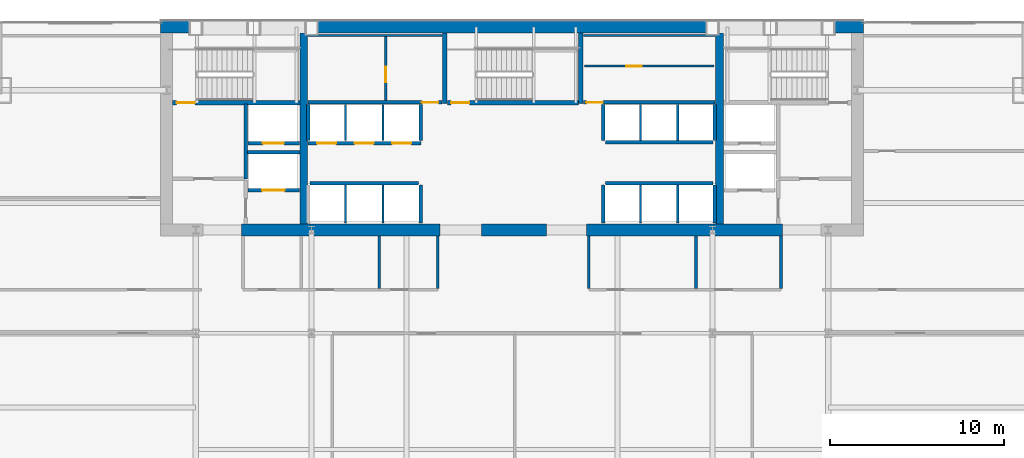
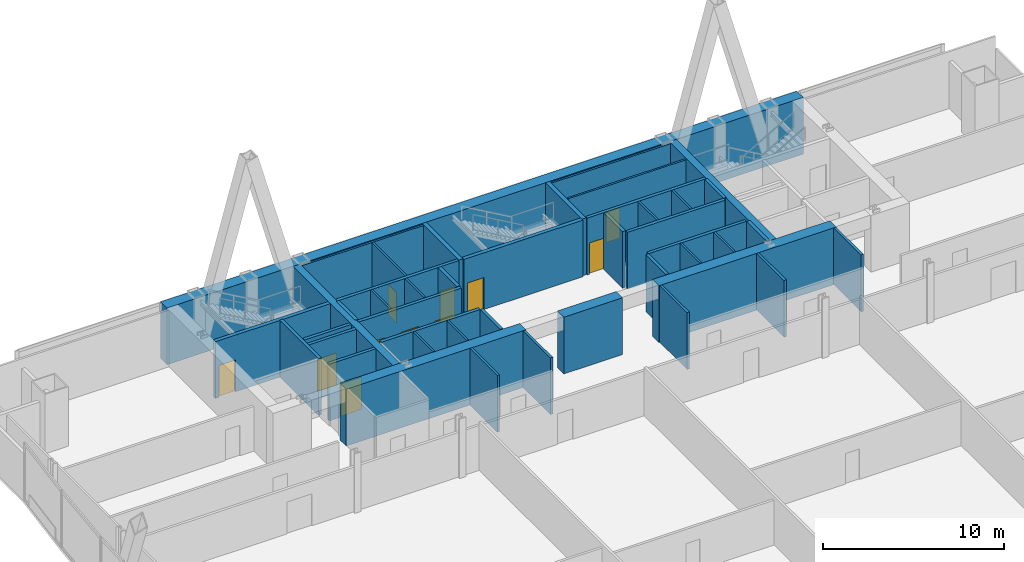
# One storey, part 29 of 32: 44 walls, 11 doors, 11 openings.
"""IFC4 building model written with IfcOpenShell, lengths in metres."""

from ifc_helpers import new_model, si_unit, direction, frame, frame_2d, origin, place, context, subcontext, project, spatial, rectangle, extrude, material, layer, layer_set, type_object, element, fill, save


model = new_model("IFC4")

# Units and contexts
model_context = context("Model", 3, precision=1e-05, world=origin(), true_north=direction((0.0, 1.0)))
body_context = subcontext(model_context, "Body", "Model", "MODEL_VIEW")
ifc_project = project(units=[si_unit("LENGTHUNIT", "METRE"), si_unit("AREAUNIT", "SQUARE_METRE"), si_unit("VOLUMEUNIT", "CUBIC_METRE"), si_unit("PLANEANGLEUNIT", "RADIAN"), si_unit("MASSUNIT", "GRAM", prefix="KILO")], contexts=[model_context])

# Site, building, storey
site_placement = place(None, origin())
site = spatial("IfcSite", under=ifc_project, at=site_placement, CompositionType="ELEMENT")
building_placement = place(site_placement, origin())
building = spatial("IfcBuilding", under=site, at=building_placement, Name="Khoronbel Lancet Exchange", CompositionType="ELEMENT")
storey_placement = place(building_placement, frame((0.0, 0.0, 94.60009765625)))
storey = spatial("IfcBuildingStorey", under=building, at=storey_placement, Name="L22", CompositionType="ELEMENT", Elevation=94.60009765625)

# Walls
ifc_material_1 = material(Name="Concrete C80/95", Category="concrete")
ifc_layer_1 = layer(ifc_material_1, 0.699951171875, Name="Concrete C80/95")
ifc_layer_set_1 = layer_set([ifc_layer_1], Name="Concrete C80/95")
wall_type_1 = type_object("IfcWallType", Name="WL-CW2", PredefinedType="SHEAR", material=ifc_layer_set_1)
wall_1_placement = place(storey_placement, frame((16.199951171875, 53.35009765625, 0.0), z_axis=(0.0, 0.0, 1.0), x_axis=(1.0, 0.0, 0.0)))
element("IfcWall", 1, at=wall_1_placement, inside=storey, type_object=wall_type_1, Name="Level L22 rear core north shear wall", PredefinedType="SHEAR", context=body_context, shape_type="SweptSolid", body=[
    extrude(rectangle(XDim=40.5, YDim=0.699951171875, at=frame_2d((20.25, 0.0))), origin(), (0.0, 0.0, 1.0), 3.81982421875),
])
wall_2_placement = place(storey_placement, frame((32.300048828125, 41.64990234375, 0.0), z_axis=(0.0, 0.0, 1.0), x_axis=(-1.0, 0.0, 0.0)))
element("IfcWall", 2, at=wall_2_placement, inside=storey, type_object=wall_type_1, Name="Level L22 rear core south shear wall pier P2", PredefinedType="SHEAR", context=body_context, shape_type="SweptSolid", body=[
    extrude(rectangle(XDim=11.449951171875, YDim=0.699951171875, at=frame_2d((5.72509765625, 0.0))), origin(), (0.0, 0.0, 1.0), 3.81982421875),
])
wall_3_placement = place(storey_placement, frame((38.449951171875, 41.64990234375, 0.0), z_axis=(0.0, 0.0, 1.0), x_axis=(-1.0, 0.0, 0.0)))
element("IfcWall", 3, at=wall_3_placement, inside=storey, type_object=wall_type_1, Name="Level L22 rear core south shear wall pier P3", PredefinedType="SHEAR", context=body_context, shape_type="SweptSolid", body=[
    extrude(rectangle(XDim=3.75, YDim=0.699951171875, at=frame_2d((1.875, 0.0))), origin(), (0.0, 0.0, 1.0), 3.81982421875),
])
wall_4_placement = place(storey_placement, frame((52.050048828125, 41.64990234375, 0.0), z_axis=(0.0, 0.0, 1.0), x_axis=(-1.0, 0.0, 0.0)))
element("IfcWall", 4, at=wall_4_placement, inside=storey, type_object=wall_type_1, Name="Level L22 rear core south shear wall pier P4", PredefinedType="SHEAR", context=body_context, shape_type="SweptSolid", body=[
    extrude(rectangle(XDim=11.300048828125, YDim=0.699951171875, at=frame_2d((5.64990234375, 0.0))), origin(), (0.0, 0.0, 1.0), 3.81982421875),
])
ifc_material_2 = material(Name="Acoustic Metal-Stud & Mineral-Wool Gypsum Partition 120 mm", Category="gypsum")
ifc_layer_2 = layer(ifc_material_2, 0.1201171875, Name="Acoustic Metal-Stud & Mineral-Wool Gypsum Partition 120 mm")
ifc_layer_set_2 = layer_set([ifc_layer_2], Name="Acoustic Metal-Stud & Mineral-Wool Gypsum Partition 120 mm")
wall_type_2 = type_object("IfcWallType", Name="WL-PRT120", PredefinedType="PARTITIONING", material=ifc_layer_set_2)
for number, where, z_axis, x_axis, name in (
    (5, (28.800048828125, 38.280029296875, 0.0), (0.0, 0.0, 1.0), (0.0, 1.0, 0.0), "Level L22 interior partition PW-WC-2"),
    (6, (32.179931640625, 38.280029296875, 0.0), (0.0, 0.0, 1.0), (0.0, 1.0, 0.0), "Level L22 interior partition PW-WC-3"),
    (7, (40.8798828125, 38.280029296875, 0.0), (0.0, 0.0, 1.0), (0.0, 1.0, 0.0), "Level L22 interior partition PW-NP-0"),
    (8, (47.050048828125, 38.280029296875, 0.0), (0.0, 0.0, 1.0), (0.0, 1.0, 0.0), "Level L22 interior partition PW-NP-M"),
    (9, (51.949951171875, 38.280029296875, 0.0), (0.0, 0.0, 1.0), (0.0, 1.0, 0.0), "Level L22 interior partition PW-NP-1"),
):
    element("IfcWall", number, at=place(storey_placement, frame(where, z_axis=z_axis, x_axis=x_axis)), inside=storey, type_object=wall_type_2, Name=name, PredefinedType="PARTITIONING", context=body_context, shape_type="SweptSolid", body=[
        extrude(rectangle(XDim=3.02001953125, YDim=0.14990234375, at=frame_2d((1.510009765625, 0.0))), origin(), (0.0, 0.0, 1.0), 3.81982421875),
    ])
ifc_material_3 = material(Name="Fire-Rated Metal-Stud & Mineral-Wool Gypsum Partition 120 mm", Category="gypsum")
ifc_layer_3 = layer(ifc_material_3, 0.1201171875, Name="Fire-Rated Metal-Stud & Mineral-Wool Gypsum Partition 120 mm")
ifc_layer_set_3 = layer_set([ifc_layer_3], Name="Fire-Rated Metal-Stud & Mineral-Wool Gypsum Partition 120 mm")
wall_type_3 = type_object("IfcWallType", Name="WL-PRT120F", PredefinedType="PARTITIONING", material=ifc_layer_set_3)
for number, where, z_axis, x_axis, name in (
    (10, (26.860107421875, 46.800048828125, 0.0), (0.0, 0.0, 1.0), (0.0, 1.0, 0.0), "Level L22 interior partition CW-PL-D1"),
    (11, (29.02001953125, 46.800048828125, 0.0), (0.0, 0.0, 1.0), (0.0, 1.0, 0.0), "Level L22 interior partition CW-PL-D2"),
):
    element("IfcWall", number, at=place(storey_placement, frame(where, z_axis=z_axis, x_axis=x_axis)), inside=storey, type_object=wall_type_3, Name=name, PredefinedType="PARTITIONING", context=body_context, shape_type="SweptSolid", body=[
        extrude(rectangle(XDim=2.094970703125, YDim=0.1201171875, at=frame_2d((1.04736328125, 0.0))), origin(), (0.0, 0.0, 1.0), 3.81982421875),
    ])
for number, where, z_axis, x_axis, name in (
    (12, (26.860107421875, 42.050048828125, 0.0), (0.0, 0.0, 1.0), (0.0, 1.0, 0.0), "Level L22 interior partition CW-PM-D1"),
    (13, (29.02001953125, 42.050048828125, 0.0), (0.0, 0.0, 1.0), (0.0, 1.0, 0.0), "Level L22 interior partition CW-PM-D2"),
):
    element("IfcWall", number, at=place(storey_placement, frame(where, z_axis=z_axis, x_axis=x_axis)), inside=storey, type_object=wall_type_3, Name=name, PredefinedType="PARTITIONING", context=body_context, shape_type="SweptSolid", body=[
        extrude(rectangle(XDim=2.195068359375, YDim=0.1201171875, at=frame_2d((1.09765625, 0.0))), origin(), (0.0, 0.0, 1.0), 3.81982421875),
    ])
for number, where, z_axis, x_axis, name in (
    (14, (43.860107421875, 46.804931640625, 0.0), (0.0, 0.0, 1.0), (0.0, 1.0, 0.0), "Level L22 interior partition CW-PH-D1"),
    (15, (46.0, 46.804931640625, 0.0), (0.0, 0.0, 1.0), (0.0, 1.0, 0.0), "Level L22 interior partition CW-PH-D2"),
):
    element("IfcWall", number, at=place(storey_placement, frame(where, z_axis=z_axis, x_axis=x_axis)), inside=storey, type_object=wall_type_3, Name=name, PredefinedType="PARTITIONING", context=body_context, shape_type="SweptSolid", body=[
        extrude(rectangle(XDim=2.090087890625, YDim=0.1201171875, at=frame_2d((1.044921875, 0.0))), origin(), (0.0, 0.0, 1.0), 3.81982421875),
    ])
for number, where, z_axis, x_axis, name in (
    (16, (43.860107421875, 42.050048828125, 0.0), (0.0, 0.0, 1.0), (0.0, 1.0, 0.0), "Level L22 interior partition CW-PX-D1"),
    (17, (46.0, 42.050048828125, 0.0), (0.0, 0.0, 1.0), (0.0, 1.0, 0.0), "Level L22 interior partition CW-PX-D2"),
):
    element("IfcWall", number, at=place(storey_placement, frame(where, z_axis=z_axis, x_axis=x_axis)), inside=storey, type_object=wall_type_3, Name=name, PredefinedType="PARTITIONING", context=body_context, shape_type="SweptSolid", body=[
        extrude(rectangle(XDim=2.195068359375, YDim=0.1201171875, at=frame_2d((1.09765625, 0.0))), origin(), (0.0, 0.0, 1.0), 3.81982421875),
    ])
wall_5_placement = place(storey_placement, frame((24.699951171875, 52.860107421875, 0.0), z_axis=(0.0, 0.0, 1.0), x_axis=(1.0, 0.0, 0.0)))
element("IfcWall", 18, at=wall_5_placement, inside=storey, type_object=wall_type_3, Name="Level L22 interior partition CW-SUP-NW-N", PredefinedType="PARTITIONING", context=body_context, shape_type="SweptSolid", body=[
    extrude(rectangle(XDim=7.719970703125, YDim=0.1201171875, at=frame_2d((3.85986328125, 0.0))), origin(), (0.0, 0.0, 1.0), 3.81982421875),
])

# Wall, opening, door
wall_6_placement = place(storey_placement, frame((29.177490234375, 49.10498046875, 0.0), z_axis=(0.0, 0.0, 1.0), x_axis=(0.0, 1.0, 0.0)))
wall_6 = element("IfcWall", 19, at=wall_6_placement, inside=storey, type_object=wall_type_3, Name="Level L22 interior partition CW-SUP-NW-M", PredefinedType="PARTITIONING", context=body_context, shape_type="SweptSolid", body=[
    extrude(rectangle(XDim=3.68994140625, YDim=0.1201171875, at=frame_2d((1.844970703125, 0.0))), origin(), (0.0, 0.0, 1.0), 3.81982421875),
])
opening_1_placement = place(wall_6_placement, frame((1.050048828125, 0.0, 0.0)))
opening_1 = element("IfcOpeningElement", 20, at=opening_1_placement, cuts=wall_6, Name="Opening FD4", PredefinedType="OPENING", context=body_context, shape_type="SweptSolid", body=[
    extrude(rectangle(XDim=0.89990234375, YDim=2.050048828125, at=frame_2d((0.449951171875, 1.02490234375))), frame((0.0, 0.070068359375, 0.0), z_axis=(0.0, -1.0, 0.0), x_axis=(1.0, 0.0, 0.0)), (0.0, 0.0, 1.0), 0.14013671875),
])
ifc_material_4 = material(Name="Fire-Rated Steel Core Support Door Assembly", Category="steel")
door_type_1 = type_object("IfcDoorType", Name="DR-FD4", OperationType="NOTDEFINED", PredefinedType="DOOR", material=ifc_material_4)
door_1_placement = place(opening_1_placement, origin())
door_1 = element("IfcDoor", 21, at=door_1_placement, inside=storey, type_object=door_type_1, Name="Core NW inner support door L22-1", OperationType="SINGLE_SWING_RIGHT", OverallHeight=2.050048828125, OverallWidth=0.89990234375, PredefinedType="DOOR", context=body_context, shape_type="SweptSolid", body=[
    extrude(rectangle(XDim=0.89990234375, YDim=2.050048828125, at=frame_2d((0.449951171875, 1.02490234375))), frame((0.0, 0.02490234375, 0.0), z_axis=(0.0, -1.0, 0.0), x_axis=(1.0, 0.0, 0.0)), (0.0, 0.0, 1.0), 0.050048828125),
])
fill(opening_1, door_1)

# Wall
wall_7_placement = place(storey_placement, frame((40.580078125, 52.860107421875, 0.0), z_axis=(0.0, 0.0, 1.0), x_axis=(1.0, 0.0, 0.0)))
element("IfcWall", 22, at=wall_7_placement, inside=storey, type_object=wall_type_3, Name="Level L22 interior partition CW-SUP-NE-N", PredefinedType="PARTITIONING", context=body_context, shape_type="SweptSolid", body=[
    extrude(rectangle(XDim=7.559814453125, YDim=0.1201171875, at=frame_2d((3.77978515625, 0.0))), origin(), (0.0, 0.0, 1.0), 3.81982421875),
])

# Wall, opening, door
wall_8_placement = place(storey_placement, frame((40.6298828125, 51.090087890625, 0.0), z_axis=(0.0, 0.0, 1.0), x_axis=(1.0, 0.0, 0.0)))
wall_8 = element("IfcWall", 23, at=wall_8_placement, inside=storey, type_object=wall_type_3, Name="Level L22 interior partition CW-SUP-NE-H", PredefinedType="PARTITIONING", context=body_context, shape_type="SweptSolid", body=[
    extrude(rectangle(XDim=7.460205078125, YDim=0.1201171875, at=frame_2d((3.72998046875, 0.0))), origin(), (0.0, 0.0, 1.0), 3.81982421875),
])
opening_2_placement = place(wall_8_placement, frame((2.39990234375, 0.0, 0.0)))
opening_2 = element("IfcOpeningElement", 24, at=opening_2_placement, cuts=wall_8, Name="Opening FD4", PredefinedType="OPENING", context=body_context, shape_type="SweptSolid", body=[
    extrude(rectangle(XDim=0.89990234375, YDim=2.050048828125, at=frame_2d((0.449951171875, 1.02490234375))), frame((0.0, 0.070068359375, 0.0), z_axis=(0.0, -1.0, 0.0), x_axis=(1.0, 0.0, 0.0)), (0.0, 0.0, 1.0), 0.14013671875),
])
door_2_placement = place(opening_2_placement, origin())
door_2 = element("IfcDoor", 25, at=door_2_placement, inside=storey, type_object=door_type_1, Name="Core NE north store door L22-1", OperationType="SINGLE_SWING_RIGHT", OverallHeight=2.050048828125, OverallWidth=0.89990234375, PredefinedType="DOOR", context=body_context, shape_type="SweptSolid", body=[
    extrude(rectangle(XDim=0.89990234375, YDim=2.050048828125, at=frame_2d((0.449951171875, 1.02490234375))), frame((0.0, 0.02490234375, 0.0), z_axis=(0.0, -1.0, 0.0), x_axis=(1.0, 0.0, 0.0)), (0.0, 0.0, 1.0), 0.050048828125),
])
fill(opening_2, door_2)

ifc_material_5 = material(Name="Autoclaved Aerated Concrete Blockwork 200 mm", Category="masonry")
ifc_layer_4 = layer(ifc_material_5, 0.199951171875, Name="Autoclaved Aerated Concrete Blockwork 200 mm")
ifc_layer_set_4 = layer_set([ifc_layer_4], Name="Autoclaved Aerated Concrete Blockwork 200 mm")
wall_type_4 = type_object("IfcWallType", Name="WL-PRT200", PredefinedType="PARTITIONING", material=ifc_layer_set_4)
wall_9_placement = place(storey_placement, frame((24.2099609375, 43.949951171875, 0.0), z_axis=(0.0, 0.0, 1.0), x_axis=(-1.0, 0.0, 0.0)))
wall_9 = element("IfcWall", 26, at=wall_9_placement, inside=storey, type_object=wall_type_4, Name="Level L22 elevator hoistway landing front wall SVLW", PredefinedType="PARTITIONING", context=body_context, shape_type="SweptSolid", body=[
    extrude(rectangle(XDim=2.969970703125, YDim=0.199951171875, at=frame_2d((1.48486328125, 0.0))), origin(), (0.0, 0.0, 1.0), 3.81982421875),
])
opening_3_placement = place(wall_9_placement, frame((0.860107421875, 0.0, 0.0)))
opening_3 = element("IfcOpeningElement", 27, at=opening_3_placement, cuts=wall_9, Name="Opening LD-SVL1", PredefinedType="OPENING", context=body_context, shape_type="SweptSolid", body=[
    extrude(rectangle(XDim=1.300048828125, YDim=2.179931640625, at=frame_2d((0.64990234375, 1.08984375))), frame((0.0, 0.10986328125, 0.0), z_axis=(0.0, -1.0, 0.0), x_axis=(1.0, 0.0, 0.0)), (0.0, 0.0, 1.0), 0.219970703125),
])
ifc_material_6 = material(Name="Heavy-Duty Bi-Parting Goods Lift Landing Door", Category="steel")
door_type_2 = type_object("IfcDoorType", Name="DR-LD-SVL", OperationType="NOTDEFINED", PredefinedType="DOOR", material=ifc_material_6)
door_3_placement = place(opening_3_placement, origin())
door_3 = element("IfcDoor", 28, at=door_3_placement, inside=storey, type_object=door_type_2, Name="Elevator landing sliding door LD-SVL1 L22", OperationType="SLIDING_TO_LEFT", OverallHeight=2.179931640625, OverallWidth=1.300048828125, PredefinedType="DOOR", context=body_context, shape_type="SweptSolid", body=[
    extrude(rectangle(XDim=1.300048828125, YDim=2.179931640625, at=frame_2d((0.64990234375, 1.08984375))), frame((0.0, 0.02490234375, 0.0), z_axis=(0.0, -1.0, 0.0), x_axis=(1.0, 0.0, 0.0)), (0.0, 0.0, 1.0), 0.050048828125),
])
fill(opening_3, door_3)

wall_10_placement = place(storey_placement, frame((24.2099609375, 46.64990234375, 0.0), z_axis=(0.0, 0.0, 1.0), x_axis=(-1.0, 0.0, 0.0)))
wall_10 = element("IfcWall", 29, at=wall_10_placement, inside=storey, type_object=wall_type_4, Name="Level L22 elevator hoistway landing front wall FFLW", PredefinedType="PARTITIONING", context=body_context, shape_type="SweptSolid", body=[
    extrude(rectangle(XDim=2.969970703125, YDim=0.199951171875, at=frame_2d((1.48486328125, 0.0))), origin(), (0.0, 0.0, 1.0), 3.81982421875),
])
opening_4_placement = place(wall_10_placement, frame((0.909912109375, 0.0, 0.0)))
opening_4 = element("IfcOpeningElement", 30, at=opening_4_placement, cuts=wall_10, Name="Opening LD-FFL1", PredefinedType="OPENING", context=body_context, shape_type="SweptSolid", body=[
    extrude(rectangle(XDim=1.199951171875, YDim=2.179931640625, at=frame_2d((0.60009765625, 1.08984375))), frame((0.0, 0.10986328125, 0.0), z_axis=(0.0, -1.0, 0.0), x_axis=(1.0, 0.0, 0.0)), (0.0, 0.0, 1.0), 0.219970703125),
])
ifc_material_7 = material(Name="Fire-Rated Stainless Bi-Parting Firefighting Lift Door", Category="steel")
door_type_3 = type_object("IfcDoorType", Name="DR-LD-FFL", OperationType="NOTDEFINED", PredefinedType="DOOR", material=ifc_material_7)
door_4_placement = place(opening_4_placement, origin())
door_4 = element("IfcDoor", 31, at=door_4_placement, inside=storey, type_object=door_type_3, Name="Elevator landing sliding door LD-FFL1 L22", OperationType="SLIDING_TO_LEFT", OverallHeight=2.179931640625, OverallWidth=1.199951171875, PredefinedType="DOOR", context=body_context, shape_type="SweptSolid", body=[
    extrude(rectangle(XDim=1.199951171875, YDim=2.179931640625, at=frame_2d((0.60009765625, 1.08984375))), frame((0.0, 0.02490234375, 0.0), z_axis=(0.0, -1.0, 0.0), x_axis=(1.0, 0.0, 0.0)), (0.0, 0.0, 1.0), 0.050048828125),
])
fill(opening_4, door_4)

# Wall, openings, doors
wall_11_placement = place(storey_placement, frame((31.219970703125, 46.64990234375, 0.0), z_axis=(0.0, 0.0, 1.0), x_axis=(-1.0, 0.0, 0.0)))
wall_11 = element("IfcWall", 32, at=wall_11_placement, inside=storey, type_object=wall_type_4, Name="Level L22 elevator hoistway landing front wall PLW", PredefinedType="PARTITIONING", context=body_context, shape_type="SweptSolid", body=[
    extrude(rectangle(XDim=6.530029296875, YDim=0.199951171875, at=frame_2d((3.26513671875, 0.0))), origin(), (0.0, 0.0, 1.0), 3.81982421875),
])
opening_5_placement = place(wall_11_placement, frame((4.89990234375, 0.0, 0.0)))
opening_5 = element("IfcOpeningElement", 33, at=opening_5_placement, cuts=wall_11, Name="Opening LD-PL1", PredefinedType="OPENING", context=body_context, shape_type="SweptSolid", body=[
    extrude(rectangle(XDim=1.10009765625, YDim=2.179931640625, at=frame_2d((0.550048828125, 1.08984375))), frame((0.0, 0.10986328125, 0.0), z_axis=(0.0, -1.0, 0.0), x_axis=(1.0, 0.0, 0.0)), (0.0, 0.0, 1.0), 0.219970703125),
])
opening_6_placement = place(wall_11_placement, frame((2.739990234375, 0.0, 0.0)))
opening_6 = element("IfcOpeningElement", 34, at=opening_6_placement, cuts=wall_11, Name="Opening LD-PL2", PredefinedType="OPENING", context=body_context, shape_type="SweptSolid", body=[
    extrude(rectangle(XDim=1.10009765625, YDim=2.179931640625, at=frame_2d((0.550048828125, 1.08984375))), frame((0.0, 0.10986328125, 0.0), z_axis=(0.0, -1.0, 0.0), x_axis=(1.0, 0.0, 0.0)), (0.0, 0.0, 1.0), 0.219970703125),
])
opening_7_placement = place(wall_11_placement, frame((0.580078125, 0.0, 0.0)))
opening_7 = element("IfcOpeningElement", 35, at=opening_7_placement, cuts=wall_11, Name="Opening LD-PL3", PredefinedType="OPENING", context=body_context, shape_type="SweptSolid", body=[
    extrude(rectangle(XDim=1.10009765625, YDim=2.179931640625, at=frame_2d((0.550048828125, 1.08984375))), frame((0.0, 0.10986328125, 0.0), z_axis=(0.0, -1.0, 0.0), x_axis=(1.0, 0.0, 0.0)), (0.0, 0.0, 1.0), 0.219970703125),
])
ifc_material_8 = material(Name="Brushed Bronze Bi-Parting Elevator Landing Door", Category="steel")
door_type_4 = type_object("IfcDoorType", Name="DR-LD-PAX", OperationType="NOTDEFINED", PredefinedType="DOOR", material=ifc_material_8)
door_5_placement = place(opening_5_placement, origin())
door_5 = element("IfcDoor", 36, at=door_5_placement, inside=storey, type_object=door_type_4, Name="Elevator landing sliding door LD-PL1 L22", OperationType="SLIDING_TO_LEFT", OverallHeight=2.179931640625, OverallWidth=1.10009765625, PredefinedType="DOOR", context=body_context, shape_type="SweptSolid", body=[
    extrude(rectangle(XDim=1.10009765625, YDim=2.179931640625, at=frame_2d((0.550048828125, 1.08984375))), frame((0.0, 0.02490234375, 0.0), z_axis=(0.0, -1.0, 0.0), x_axis=(1.0, 0.0, 0.0)), (0.0, 0.0, 1.0), 0.050048828125),
])
fill(opening_5, door_5)
door_6_placement = place(opening_6_placement, origin())
door_6 = element("IfcDoor", 37, at=door_6_placement, inside=storey, type_object=door_type_4, Name="Elevator landing sliding door LD-PL2 L22", OperationType="SLIDING_TO_LEFT", OverallHeight=2.179931640625, OverallWidth=1.10009765625, PredefinedType="DOOR", context=body_context, shape_type="SweptSolid", body=[
    extrude(rectangle(XDim=1.10009765625, YDim=2.179931640625, at=frame_2d((0.550048828125, 1.08984375))), frame((0.0, 0.02490234375, 0.0), z_axis=(0.0, -1.0, 0.0), x_axis=(1.0, 0.0, 0.0)), (0.0, 0.0, 1.0), 0.050048828125),
])
fill(opening_6, door_6)
door_7_placement = place(opening_7_placement, origin())
door_7 = element("IfcDoor", 38, at=door_7_placement, inside=storey, type_object=door_type_4, Name="Elevator landing sliding door LD-PL3 L22", OperationType="SLIDING_TO_LEFT", OverallHeight=2.179931640625, OverallWidth=1.10009765625, PredefinedType="DOOR", context=body_context, shape_type="SweptSolid", body=[
    extrude(rectangle(XDim=1.10009765625, YDim=2.179931640625, at=frame_2d((0.550048828125, 1.08984375))), frame((0.0, 0.02490234375, 0.0), z_axis=(0.0, -1.0, 0.0), x_axis=(1.0, 0.0, 0.0)), (0.0, 0.0, 1.0), 0.050048828125),
])
fill(opening_7, door_7)

# Walls
wall_12_placement = place(storey_placement, frame((21.10009765625, 44.60009765625, 0.0), z_axis=(0.0, 0.0, 1.0), x_axis=(0.0, 1.0, 0.0)))
element("IfcWall", 39, at=wall_12_placement, inside=storey, type_object=wall_type_4, Name="Level L22 interior partition CW-FFLW-E", PredefinedType="PARTITIONING", context=body_context, shape_type="SweptSolid", body=[
    extrude(rectangle(XDim=4.2998046875, YDim=0.199951171875, at=frame_2d((2.14990234375, 0.0))), origin(), (0.0, 0.0, 1.0), 3.81982421875),
])
wall_13_placement = place(storey_placement, frame((21.199951171875, 46.1201171875, 0.0), z_axis=(0.0, 0.0, 1.0), x_axis=(1.0, 0.0, 0.0)))
element("IfcWall", 40, at=wall_13_placement, inside=storey, type_object=wall_type_4, Name="Level L22 interior partition CW-FFL1-S", PredefinedType="PARTITIONING", context=body_context, shape_type="SweptSolid", body=[
    extrude(rectangle(XDim=3.02001953125, YDim=0.199951171875, at=frame_2d((1.510009765625, 0.0))), origin(), (0.0, 0.0, 1.0), 3.81982421875),
])
for number, where, z_axis, x_axis, name in (
    (41, (24.699951171875, 46.800048828125, 0.0), (0.0, 0.0, 1.0), (0.0, 1.0, 0.0), "Level L22 interior partition CW-PL-W"),
    (42, (31.179931640625, 46.800048828125, 0.0), (0.0, 0.0, 1.0), (0.0, 1.0, 0.0), "Level L22 interior partition CW-PL-E"),
):
    element("IfcWall", number, at=place(storey_placement, frame(where, z_axis=z_axis, x_axis=x_axis)), inside=storey, type_object=wall_type_4, Name=name, PredefinedType="PARTITIONING", context=body_context, shape_type="SweptSolid", body=[
        extrude(rectangle(XDim=2.094970703125, YDim=0.199951171875, at=frame_2d((1.04736328125, 0.0))), origin(), (0.0, 0.0, 1.0), 3.81982421875),
    ])
wall_14_placement = place(storey_placement, frame((24.804931640625, 44.35009765625, 0.0), z_axis=(0.0, 0.0, 1.0), x_axis=(1.0, 0.0, 0.0)))
element("IfcWall", 43, at=wall_14_placement, inside=storey, type_object=wall_type_4, Name="Level L22 interior partition CW-PM-EXP", PredefinedType="PARTITIONING", context=body_context, shape_type="SweptSolid", body=[
    extrude(rectangle(XDim=6.27001953125, YDim=0.199951171875, at=frame_2d((3.135009765625, 0.0))), origin(), (0.0, 0.0, 1.0), 3.81982421875),
])
wall_15_placement = place(storey_placement, frame((31.179931640625, 42.050048828125, 0.0), z_axis=(0.0, 0.0, 1.0), x_axis=(0.0, 1.0, 0.0)))
element("IfcWall", 44, at=wall_15_placement, inside=storey, type_object=wall_type_4, Name="Level L22 interior partition CW-PM-E", PredefinedType="PARTITIONING", context=body_context, shape_type="SweptSolid", body=[
    extrude(rectangle(XDim=2.195068359375, YDim=0.199951171875, at=frame_2d((1.09765625, 0.0))), origin(), (0.0, 0.0, 1.0), 3.81982421875),
])
wall_16_placement = place(storey_placement, frame((41.824951171875, 46.699951171875, 0.0), z_axis=(0.0, 0.0, 1.0), x_axis=(1.0, 0.0, 0.0)))
element("IfcWall", 45, at=wall_16_placement, inside=storey, type_object=wall_type_4, Name="Level L22 interior partition CW-PH-EXP", PredefinedType="PARTITIONING", context=body_context, shape_type="SweptSolid", body=[
    extrude(rectangle(XDim=6.2099609375, YDim=0.199951171875, at=frame_2d((3.10498046875, 0.0))), origin(), (0.0, 0.0, 1.0), 3.81982421875),
])
for number, where, z_axis, x_axis, name in (
    (46, (41.719970703125, 46.804931640625, 0.0), (0.0, 0.0, 1.0), (0.0, 1.0, 0.0), "Level L22 interior partition CW-PH-W"),
    (47, (48.139892578125, 46.804931640625, 0.0), (0.0, 0.0, 1.0), (0.0, 1.0, 0.0), "Level L22 interior partition CW-PH-E"),
):
    element("IfcWall", number, at=place(storey_placement, frame(where, z_axis=z_axis, x_axis=x_axis)), inside=storey, type_object=wall_type_4, Name=name, PredefinedType="PARTITIONING", context=body_context, shape_type="SweptSolid", body=[
        extrude(rectangle(XDim=2.090087890625, YDim=0.199951171875, at=frame_2d((1.044921875, 0.0))), origin(), (0.0, 0.0, 1.0), 3.81982421875),
    ])
wall_17_placement = place(storey_placement, frame((41.824951171875, 44.35009765625, 0.0), z_axis=(0.0, 0.0, 1.0), x_axis=(1.0, 0.0, 0.0)))
element("IfcWall", 48, at=wall_17_placement, inside=storey, type_object=wall_type_4, Name="Level L22 interior partition CW-PX-EXP", PredefinedType="PARTITIONING", context=body_context, shape_type="SweptSolid", body=[
    extrude(rectangle(XDim=6.2099609375, YDim=0.199951171875, at=frame_2d((3.10498046875, 0.0))), origin(), (0.0, 0.0, 1.0), 3.81982421875),
])
for number, where, z_axis, x_axis, name in (
    (49, (41.719970703125, 42.050048828125, 0.0), (0.0, 0.0, 1.0), (0.0, 1.0, 0.0), "Level L22 interior partition CW-PX-W"),
    (50, (48.139892578125, 42.050048828125, 0.0), (0.0, 0.0, 1.0), (0.0, 1.0, 0.0), "Level L22 interior partition CW-PX-E"),
):
    element("IfcWall", number, at=place(storey_placement, frame(where, z_axis=z_axis, x_axis=x_axis)), inside=storey, type_object=wall_type_4, Name=name, PredefinedType="PARTITIONING", context=body_context, shape_type="SweptSolid", body=[
        extrude(rectangle(XDim=2.195068359375, YDim=0.199951171875, at=frame_2d((1.09765625, 0.0))), origin(), (0.0, 0.0, 1.0), 3.81982421875),
    ])

# Wall, opening, door
wall_18_placement = place(storey_placement, frame((24.699951171875, 49.0, 0.0), z_axis=(0.0, 0.0, 1.0), x_axis=(1.0, 0.0, 0.0)))
wall_18 = element("IfcWall", 51, at=wall_18_placement, inside=storey, type_object=wall_type_4, Name="Level L22 interior partition CW-SUP-NW-S", PredefinedType="PARTITIONING", context=body_context, shape_type="SweptSolid", body=[
    extrude(rectangle(XDim=7.719970703125, YDim=0.199951171875, at=frame_2d((3.85986328125, 0.0))), origin(), (0.0, 0.0, 1.0), 3.81982421875),
])
opening_8_placement = place(wall_18_placement, frame((6.56005859375, 0.0, 0.0)))
opening_8 = element("IfcOpeningElement", 52, at=opening_8_placement, cuts=wall_18, Name="Opening FD3", PredefinedType="OPENING", context=body_context, shape_type="SweptSolid", body=[
    extrude(rectangle(XDim=0.949951171875, YDim=2.10009765625, at=frame_2d((0.47509765625, 1.050048828125))), frame((0.0, 0.10986328125, 0.0), z_axis=(0.0, -1.0, 0.0), x_axis=(1.0, 0.0, 0.0)), (0.0, 0.0, 1.0), 0.219970703125),
])
ifc_material_9 = material(Name="Fire-Rated Steel Plant & Riser Door Assembly", Category="steel")
door_type_5 = type_object("IfcDoorType", Name="DR-FD3", OperationType="NOTDEFINED", PredefinedType="DOOR", material=ifc_material_9)
door_8_placement = place(opening_8_placement, origin())
door_8 = element("IfcDoor", 53, at=door_8_placement, inside=storey, type_object=door_type_5, Name="Core NW support room door L22-1", OperationType="SINGLE_SWING_LEFT", OverallHeight=2.10009765625, OverallWidth=0.949951171875, PredefinedType="DOOR", context=body_context, shape_type="SweptSolid", body=[
    extrude(rectangle(XDim=0.949951171875, YDim=2.10009765625, at=frame_2d((0.47509765625, 1.050048828125))), frame((0.0, 0.02490234375, 0.0), z_axis=(0.0, -1.0, 0.0), x_axis=(1.0, 0.0, 0.0)), (0.0, 0.0, 1.0), 0.050048828125),
])
fill(opening_8, door_8)

wall_19_placement = place(storey_placement, frame((40.580078125, 49.0, 0.0), z_axis=(0.0, 0.0, 1.0), x_axis=(1.0, 0.0, 0.0)))
wall_19 = element("IfcWall", 54, at=wall_19_placement, inside=storey, type_object=wall_type_4, Name="Level L22 interior partition CW-SUP-NE-S", PredefinedType="PARTITIONING", context=body_context, shape_type="SweptSolid", body=[
    extrude(rectangle(XDim=7.559814453125, YDim=0.199951171875, at=frame_2d((3.77978515625, 0.0))), origin(), (0.0, 0.0, 1.0), 3.81982421875),
])
opening_9_placement = place(wall_19_placement, frame((0.159912109375, 0.0, 0.0)))
opening_9 = element("IfcOpeningElement", 55, at=opening_9_placement, cuts=wall_19, Name="Opening FD3", PredefinedType="OPENING", context=body_context, shape_type="SweptSolid", body=[
    extrude(rectangle(XDim=0.949951171875, YDim=2.10009765625, at=frame_2d((0.47509765625, 1.050048828125))), frame((0.0, 0.10986328125, 0.0), z_axis=(0.0, -1.0, 0.0), x_axis=(1.0, 0.0, 0.0)), (0.0, 0.0, 1.0), 0.219970703125),
])
door_9_placement = place(opening_9_placement, origin())
door_9 = element("IfcDoor", 56, at=door_9_placement, inside=storey, type_object=door_type_5, Name="Core NE support room door L22-1", OperationType="SINGLE_SWING_LEFT", OverallHeight=2.10009765625, OverallWidth=0.949951171875, PredefinedType="DOOR", context=body_context, shape_type="SweptSolid", body=[
    extrude(rectangle(XDim=0.949951171875, YDim=2.10009765625, at=frame_2d((0.47509765625, 1.050048828125))), frame((0.0, 0.02490234375, 0.0), z_axis=(0.0, -1.0, 0.0), x_axis=(1.0, 0.0, 0.0)), (0.0, 0.0, 1.0), 0.050048828125),
])
fill(opening_9, door_9)

# Walls
ifc_layer_5 = layer(ifc_material_1, 0.449951171875, Name="Concrete C80/95")
ifc_layer_set_5 = layer_set([ifc_layer_5], Name="Concrete C80/95")
wall_type_5 = type_object("IfcWallType", Name="WL-SW1", PredefinedType="SHEAR", material=ifc_layer_set_5)
for number, where, z_axis, x_axis, name in (
    (57, (24.449951171875, 42.0, 0.0), (0.0, 0.0, 1.0), (0.0, 1.0, 0.0), "Level L22 rear core internal spine shear wall IW"),
    (58, (48.39990234375, 42.0, 0.0), (0.0, 0.0, 1.0), (0.0, 1.0, 0.0), "Level L22 rear core internal spine shear wall IE"),
):
    element("IfcWall", number, at=place(storey_placement, frame(where, z_axis=z_axis, x_axis=x_axis)), inside=storey, type_object=wall_type_5, Name=name, PredefinedType="SHEAR", context=body_context, shape_type="SweptSolid", body=[
        extrude(rectangle(XDim=11.0, YDim=0.449951171875, at=frame_2d((5.5, 0.0))), origin(), (0.0, 0.0, 1.0), 3.81982421875),
    ])
ifc_material_10 = material(Name="Concrete C60/75", Category="concrete")
ifc_layer_6 = layer(ifc_material_10, 0.260009765625, Name="Concrete C60/75")
ifc_layer_set_6 = layer_set([ifc_layer_6], Name="Concrete C60/75")
wall_type_6 = type_object("IfcWallType", Name="WL-SW3", PredefinedType="SHEAR", material=ifc_layer_set_6)
for number, where, z_axis, x_axis, name in (
    (59, (32.580078125, 48.949951171875, 0.0), (0.0, 0.0, 1.0), (0.0, 1.0, 0.0), "Level L22 central stairwell structural shear wall ST3W"),
    (60, (40.419921875, 48.949951171875, 0.0), (0.0, 0.0, 1.0), (0.0, 1.0, 0.0), "Level L22 central stairwell structural shear wall ST3E"),
):
    element("IfcWall", number, at=place(storey_placement, frame(where, z_axis=z_axis, x_axis=x_axis)), inside=storey, type_object=wall_type_6, Name=name, PredefinedType="SHEAR", context=body_context, shape_type="SweptSolid", body=[
        extrude(rectangle(XDim=4.050048828125, YDim=0.260009765625, at=frame_2d((2.02490234375, 0.0))), origin(), (0.0, 0.0, 1.0), 3.81982421875),
    ])

# Wall, opening, door
wall_20_placement = place(storey_placement, frame((16.89990234375, 48.97998046875, 0.0), z_axis=(0.0, 0.0, 1.0), x_axis=(1.0, 0.0, 0.0)))
wall_20 = element("IfcWall", 61, at=wall_20_placement, inside=storey, type_object=wall_type_6, Name="Level L22 west stairwell structural south wall", PredefinedType="SHEAR", context=body_context, shape_type="SweptSolid", body=[
    extrude(rectangle(XDim=7.320068359375, YDim=0.239990234375, at=frame_2d((3.66015625, 0.0))), origin(), (0.0, 0.0, 1.0), 3.81982421875),
])
opening_10_placement = place(wall_20_placement, frame((0.219970703125, 0.0, 0.0)))
opening_10 = element("IfcOpeningElement", 62, at=opening_10_placement, cuts=wall_20, Name="Opening SD1", PredefinedType="OPENING", context=body_context, shape_type="SweptSolid", body=[
    extrude(rectangle(XDim=1.050048828125, YDim=2.14990234375, at=frame_2d((0.52490234375, 1.074951171875))), frame((0.0, 0.1298828125, 0.0), z_axis=(0.0, -1.0, 0.0), x_axis=(1.0, 0.0, 0.0)), (0.0, 0.0, 1.0), 0.260009765625),
])
ifc_material_11 = material(Name="Fire-Rated Steel Stairwell Door Assembly", Category="steel")
door_type_6 = type_object("IfcDoorType", Name="DR-SD1", OperationType="NOTDEFINED", PredefinedType="DOOR", material=ifc_material_11)
door_10_placement = place(opening_10_placement, origin())
door_10 = element("IfcDoor", 63, at=door_10_placement, inside=storey, type_object=door_type_6, Name="Protected exit stair ST1 door L22", OperationType="SINGLE_SWING_LEFT", OverallHeight=2.14990234375, OverallWidth=1.050048828125, PredefinedType="DOOR", context=body_context, shape_type="SweptSolid", body=[
    extrude(rectangle(XDim=1.050048828125, YDim=2.14990234375, at=frame_2d((0.52490234375, 1.074951171875))), frame((0.0, 0.02490234375, 0.0), z_axis=(0.0, -1.0, 0.0), x_axis=(1.0, 0.0, 0.0)), (0.0, 0.0, 1.0), 0.050048828125),
])
fill(opening_10, door_10)

wall_21_placement = place(storey_placement, frame((32.719970703125, 48.97998046875, 0.0), z_axis=(0.0, 0.0, 1.0), x_axis=(1.0, 0.0, 0.0)))
wall_21 = element("IfcWall", 64, at=wall_21_placement, inside=storey, type_object=wall_type_6, Name="Level L22 central stairwell structural south wall", PredefinedType="SHEAR", context=body_context, shape_type="SweptSolid", body=[
    extrude(rectangle(XDim=7.56005859375, YDim=0.239990234375, at=frame_2d((3.780029296875, 0.0))), origin(), (0.0, 0.0, 1.0), 3.81982421875),
])
opening_11_placement = place(wall_21_placement, frame((0.219970703125, 0.0, 0.0)))
opening_11 = element("IfcOpeningElement", 65, at=opening_11_placement, cuts=wall_21, Name="Opening SD1", PredefinedType="OPENING", context=body_context, shape_type="SweptSolid", body=[
    extrude(rectangle(XDim=1.050048828125, YDim=2.14990234375, at=frame_2d((0.52490234375, 1.074951171875))), frame((0.0, 0.1298828125, 0.0), z_axis=(0.0, -1.0, 0.0), x_axis=(1.0, 0.0, 0.0)), (0.0, 0.0, 1.0), 0.260009765625),
])
door_11_placement = place(opening_11_placement, origin())
door_11 = element("IfcDoor", 66, at=door_11_placement, inside=storey, type_object=door_type_6, Name="Protected exit stair ST3 door L22", OperationType="SINGLE_SWING_LEFT", OverallHeight=2.14990234375, OverallWidth=1.050048828125, PredefinedType="DOOR", context=body_context, shape_type="SweptSolid", body=[
    extrude(rectangle(XDim=1.050048828125, YDim=2.14990234375, at=frame_2d((0.52490234375, 1.074951171875))), frame((0.0, 0.02490234375, 0.0), z_axis=(0.0, -1.0, 0.0), x_axis=(1.0, 0.0, 0.0)), (0.0, 0.0, 1.0), 0.050048828125),
])
fill(opening_11, door_11)

save(model, "model.ifc")
